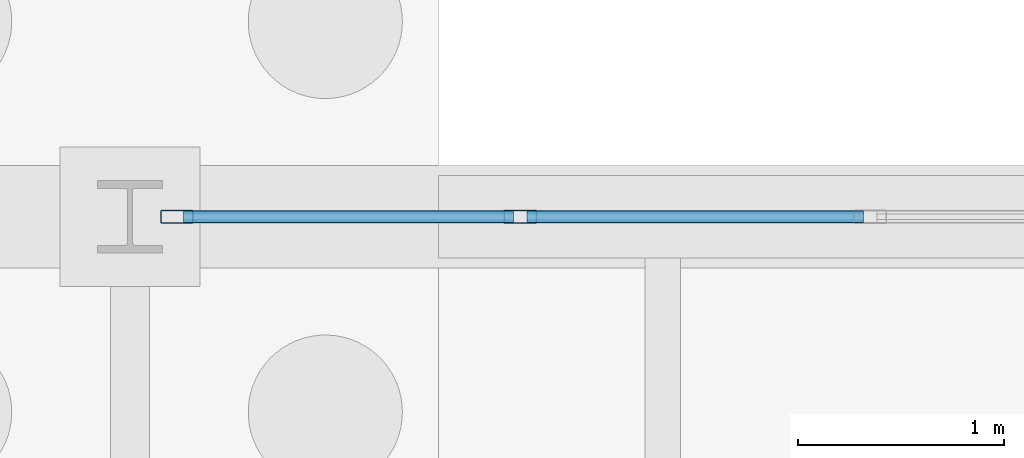
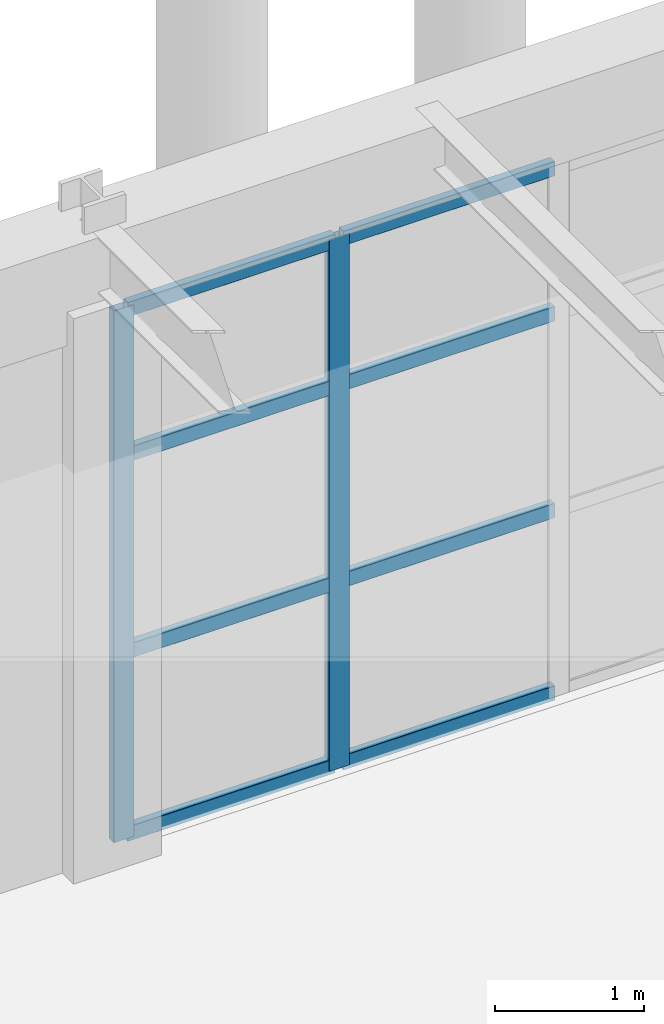
# One storey, part 89 of 293: 10 members, 1 element without a shape of its own.
"""IFC4 building model written with IfcOpenShell, lengths in metres."""

from ifc_helpers import new_model, si_unit, direction, frame, origin, origin_2d, place, context, subcontext, project, spatial, hollow_rectangle, extrude, material, layer, layer_set, material_profile, profile_set, type_object, element, aggregate, save


model = new_model("IFC4")

# Units and contexts
model_context = context("Model", 3, precision=1e-05, world=origin(), true_north=direction((0.0, 1.0)))
body_context = subcontext(model_context, "Body", "Model", "MODEL_VIEW")
ifc_project = project(units=[si_unit("LENGTHUNIT", "METRE"), si_unit("AREAUNIT", "SQUARE_METRE"), si_unit("VOLUMEUNIT", "CUBIC_METRE"), si_unit("PLANEANGLEUNIT", "RADIAN"), si_unit("MASSUNIT", "GRAM", prefix="KILO")], contexts=[model_context])

# Site, building, storey
site_placement = place(None, origin())
site = spatial("IfcSite", under=ifc_project, at=site_placement, CompositionType="ELEMENT")
building_placement = place(site_placement, origin())
building = spatial("IfcBuilding", under=site, at=building_placement, Name="Kemerveld Promenade Tramway Depot", CompositionType="ELEMENT")
storey_placement = place(building_placement, origin())
storey = spatial("IfcBuildingStorey", under=building, at=storey_placement, Name="L00", CompositionType="ELEMENT", Elevation=0.0)

# Curtain wall, members
ifc_material_1 = material(Name="Bronze anodised aluminium and solar glass", Category="aluminium")
ifc_layer = layer(ifc_material_1, 0.159912109375)
ifc_layer_set = layer_set([ifc_layer], Name="CW-SYS-11")
curtain_wall_type = type_object("IfcCurtainWallType", Name="CW-SYS-11", PredefinedType="USERDEFINED", material=ifc_layer_set)
curtain_wall_placement = place(storey_placement, origin())
curtain_wall = element("IfcCurtainWall", 1, at=curtain_wall_placement, inside=storey, type_object=curtain_wall_type, Name="CW-L00-V4N-08", ObjectType="GLAZED_CURTAIN_WALL", PredefinedType="USERDEFINED")
ifc_material_2 = material(Name="Bronze anodised aluminium", Category="aluminium")
ifc_material_profile_1 = material_profile(ifc_material_2, hollow_rectangle(XDim=0.06494140625, YDim=0.159912109375, WallThickness=0.00390625, InnerFilletRadius=0.001953125, OuterFilletRadius=0.00390625, at=origin_2d()), Name="CW-MUL-160x65")
ifc_profile_set_1 = profile_set([ifc_material_profile_1], Name="Bronze anodised aluminium")
member_type_1 = type_object("IfcMemberType", Name="CW-MUL-A", PredefinedType="MULLION", material=ifc_profile_set_1)
member_1_placement = place(storey_placement, frame((108.228759765625, 28.800048828125, 0.0), z_axis=(0.0, 0.0, 1.0), x_axis=(0.0, 1.0, 0.0)))
member_1 = element("IfcMember", 2, at=member_1_placement, type_object=member_type_1, Name="CW11 mullion 1", PredefinedType="MULLION", context=body_context, shape_type="SweptSolid", body=[
    extrude(hollow_rectangle(XDim=0.06494140625, YDim=0.159912109375, WallThickness=0.00390625, InnerFilletRadius=0.001953125, OuterFilletRadius=0.00390625, at=origin_2d()), origin(), (0.0, 0.0, 1.0), 4.35498046875),
])
member_2_placement = place(storey_placement, frame((109.898193359375, 28.800048828125, 0.0), z_axis=(0.0, 0.0, 1.0), x_axis=(0.0, 1.0, 0.0)))
member_2 = element("IfcMember", 3, at=member_2_placement, type_object=member_type_1, Name="CW11 mullion 2", PredefinedType="MULLION", context=body_context, shape_type="SweptSolid", body=[
    extrude(hollow_rectangle(XDim=0.06494140625, YDim=0.159912109375, WallThickness=0.00390625, InnerFilletRadius=0.001953125, OuterFilletRadius=0.00390625, at=origin_2d()), origin(), (0.0, 0.0, 1.0), 4.35498046875),
])
ifc_material_profile_2 = material_profile(ifc_material_2, hollow_rectangle(XDim=0.06005859375, YDim=0.1201171875, WallThickness=0.00390625, InnerFilletRadius=0.001953125, OuterFilletRadius=0.00390625, at=origin_2d()), Name="CW-TRN-120x60")
ifc_profile_set_2 = profile_set([ifc_material_profile_2], Name="Bronze anodised aluminium")
member_type_2 = type_object("IfcMemberType", Name="CW-TRN-A", PredefinedType="USERDEFINED", material=ifc_profile_set_2)
member_3_placement = place(storey_placement, frame((108.26123046875, 28.800048828125, 0.030029296875), z_axis=(1.0, 0.0, 0.0), x_axis=(0.0, 1.0, 0.0)))
member_3 = element("IfcMember", 4, at=member_3_placement, type_object=member_type_2, Name="CW11 transom 1.1", ObjectType="TRANSOM", PredefinedType="USERDEFINED", context=body_context, shape_type="SweptSolid", body=[
    extrude(hollow_rectangle(XDim=0.06005859375, YDim=0.1201171875, WallThickness=0.00390625, InnerFilletRadius=0.001953125, OuterFilletRadius=0.00390625, at=origin_2d()), origin(), (0.0, 0.0, 1.0), 1.6044921875),
])
member_4_placement = place(storey_placement, frame((108.26123046875, 28.800048828125, 1.52392578125), z_axis=(1.0, 0.0, 0.0), x_axis=(0.0, 1.0, 0.0)))
member_4 = element("IfcMember", 5, at=member_4_placement, type_object=member_type_2, Name="CW11 transom 1.2", ObjectType="TRANSOM", PredefinedType="USERDEFINED", context=body_context, shape_type="SweptSolid", body=[
    extrude(hollow_rectangle(XDim=0.06005859375, YDim=0.1201171875, WallThickness=0.00390625, InnerFilletRadius=0.001953125, OuterFilletRadius=0.00390625, at=origin_2d()), origin(), (0.0, 0.0, 1.0), 1.6044921875),
])
member_5_placement = place(storey_placement, frame((108.26123046875, 28.800048828125, 3.135986328125), z_axis=(1.0, 0.0, 0.0), x_axis=(0.0, 1.0, 0.0)))
member_5 = element("IfcMember", 6, at=member_5_placement, type_object=member_type_2, Name="CW11 transom 1.3", ObjectType="TRANSOM", PredefinedType="USERDEFINED", context=body_context, shape_type="SweptSolid", body=[
    extrude(hollow_rectangle(XDim=0.06005859375, YDim=0.1201171875, WallThickness=0.00390625, InnerFilletRadius=0.001953125, OuterFilletRadius=0.00390625, at=origin_2d()), origin(), (0.0, 0.0, 1.0), 1.6044921875),
])
member_6_placement = place(storey_placement, frame((108.26123046875, 28.800048828125, 4.324951171875), z_axis=(1.0, 0.0, 0.0), x_axis=(0.0, 1.0, 0.0)))
member_6 = element("IfcMember", 7, at=member_6_placement, type_object=member_type_2, Name="CW11 transom 1.4", ObjectType="TRANSOM", PredefinedType="USERDEFINED", context=body_context, shape_type="SweptSolid", body=[
    extrude(hollow_rectangle(XDim=0.06005859375, YDim=0.1201171875, WallThickness=0.00390625, InnerFilletRadius=0.001953125, OuterFilletRadius=0.00390625, at=origin_2d()), origin(), (0.0, 0.0, 1.0), 1.6044921875),
])
member_7_placement = place(storey_placement, frame((109.9306640625, 28.800048828125, 0.030029296875), z_axis=(1.0, 0.0, 0.0), x_axis=(0.0, 1.0, 0.0)))
member_7 = element("IfcMember", 8, at=member_7_placement, type_object=member_type_2, Name="CW11 transom 2.1", ObjectType="TRANSOM", PredefinedType="USERDEFINED", context=body_context, shape_type="SweptSolid", body=[
    extrude(hollow_rectangle(XDim=0.06005859375, YDim=0.1201171875, WallThickness=0.00390625, InnerFilletRadius=0.001953125, OuterFilletRadius=0.00390625, at=origin_2d()), origin(), (0.0, 0.0, 1.0), 1.63671875),
])
member_8_placement = place(storey_placement, frame((109.9306640625, 28.800048828125, 1.52392578125), z_axis=(1.0, 0.0, 0.0), x_axis=(0.0, 1.0, 0.0)))
member_8 = element("IfcMember", 9, at=member_8_placement, type_object=member_type_2, Name="CW11 transom 2.2", ObjectType="TRANSOM", PredefinedType="USERDEFINED", context=body_context, shape_type="SweptSolid", body=[
    extrude(hollow_rectangle(XDim=0.06005859375, YDim=0.1201171875, WallThickness=0.00390625, InnerFilletRadius=0.001953125, OuterFilletRadius=0.00390625, at=origin_2d()), origin(), (0.0, 0.0, 1.0), 1.63671875),
])
member_9_placement = place(storey_placement, frame((109.9306640625, 28.800048828125, 3.135986328125), z_axis=(1.0, 0.0, 0.0), x_axis=(0.0, 1.0, 0.0)))
member_9 = element("IfcMember", 10, at=member_9_placement, type_object=member_type_2, Name="CW11 transom 2.3", ObjectType="TRANSOM", PredefinedType="USERDEFINED", context=body_context, shape_type="SweptSolid", body=[
    extrude(hollow_rectangle(XDim=0.06005859375, YDim=0.1201171875, WallThickness=0.00390625, InnerFilletRadius=0.001953125, OuterFilletRadius=0.00390625, at=origin_2d()), origin(), (0.0, 0.0, 1.0), 1.63671875),
])
member_10_placement = place(storey_placement, frame((109.9306640625, 28.800048828125, 4.324951171875), z_axis=(1.0, 0.0, 0.0), x_axis=(0.0, 1.0, 0.0)))
member_10 = element("IfcMember", 11, at=member_10_placement, type_object=member_type_2, Name="CW11 transom 2.4", ObjectType="TRANSOM", PredefinedType="USERDEFINED", context=body_context, shape_type="SweptSolid", body=[
    extrude(hollow_rectangle(XDim=0.06005859375, YDim=0.1201171875, WallThickness=0.00390625, InnerFilletRadius=0.001953125, OuterFilletRadius=0.00390625, at=origin_2d()), origin(), (0.0, 0.0, 1.0), 1.63671875),
])
aggregate(curtain_wall, [member_1, member_2, member_3, member_4, member_5, member_6, member_7, member_8, member_9, member_10])

save(model, "model.ifc")
